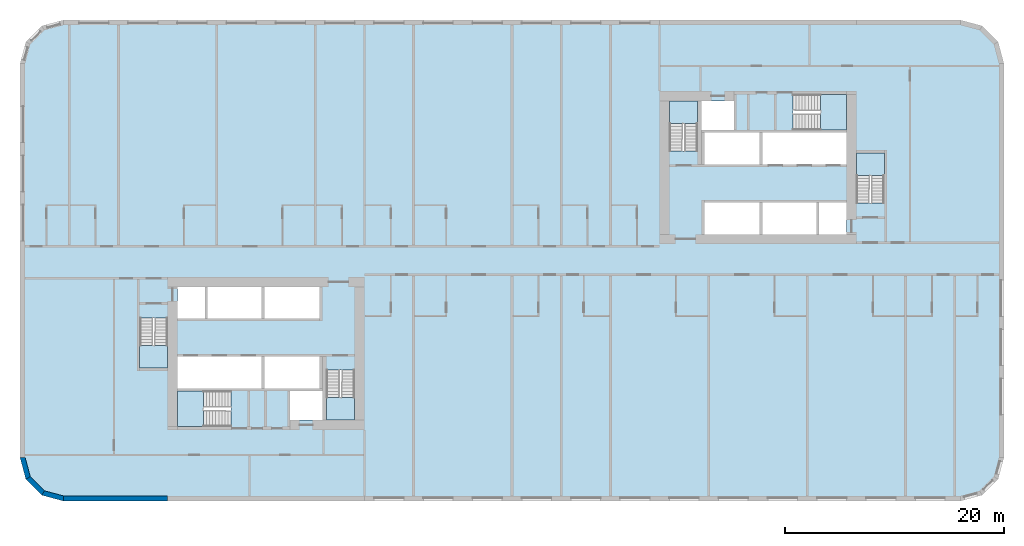
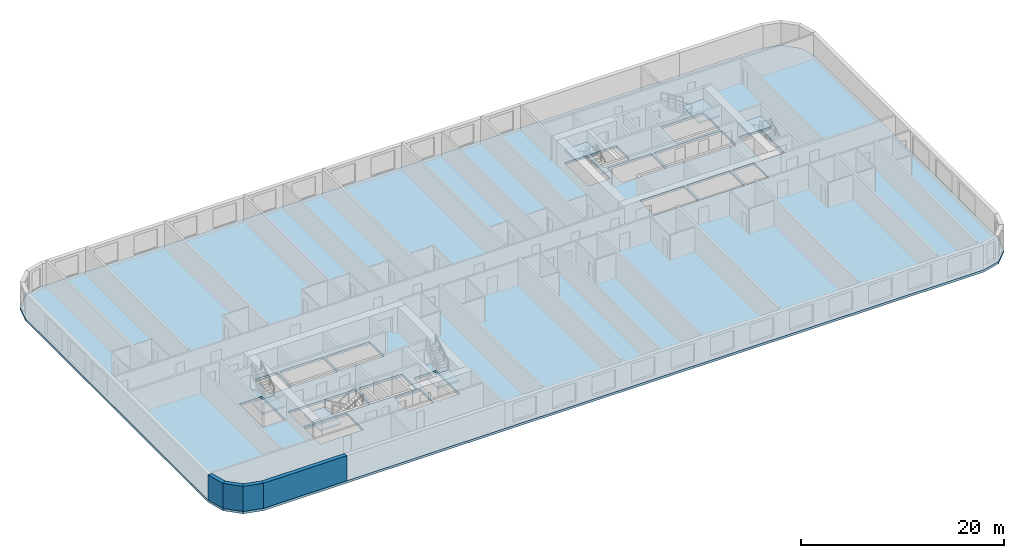
# One storey, part 1 of 12: 7 slabs, 4 walls, 6 elements without a shape of their own.
"""IFC4 building model written with IfcOpenShell, lengths in metres."""

from ifc_helpers import new_model, si_unit, direction, frame, frame_2d, origin, place, context, subcontext, project, spatial, polyline, rectangle, outline, extrude, material, layer, layer_set, type_object, element, aggregate, save


model = new_model("IFC4")

# Units and contexts
model_context = context("Model", 3, precision=1e-05, world=origin(), true_north=direction((0.0, 1.0)))
body_context = subcontext(model_context, "Body", "Model", "MODEL_VIEW")
ifc_project = project(units=[si_unit("LENGTHUNIT", "METRE"), si_unit("AREAUNIT", "SQUARE_METRE"), si_unit("VOLUMEUNIT", "CUBIC_METRE"), si_unit("PLANEANGLEUNIT", "RADIAN"), si_unit("MASSUNIT", "GRAM", prefix="KILO")], contexts=[model_context])

# Site, building, storey
site_placement = place(None, origin())
site = spatial("IfcSite", under=ifc_project, at=site_placement, CompositionType="ELEMENT")
building_placement = place(site_placement, origin())
building = spatial("IfcBuilding", under=site, at=building_placement, Name="Kajstack Hotel Tower", CompositionType="ELEMENT")
storey_placement = place(building_placement, frame((0.0, 0.0, 63.300048828125)))
storey = spatial("IfcBuildingStorey", under=building, at=storey_placement, Name="L10", CompositionType="ELEMENT", Elevation=63.300048828125)

# Slab
ifc_material_1 = material(Name="Concrete C40/50", Category="concrete")
ifc_layer_1 = layer(ifc_material_1, 0.280029296875)
ifc_layer_set_1 = layer_set([ifc_layer_1], Name="RC slab 280 C40/50 guest")
slab_type_1 = type_object("IfcSlabType", Name="RC slab 280 C40/50 guest", PredefinedType="FLOOR", material=ifc_layer_set_1)
slab_1_placement = place(storey_placement, frame((0.0, 0.0, -0.280029296875)))
element("IfcSlab", 1, at=slab_1_placement, inside=storey, type_object=slab_type_1, Name="S-slab-L10", PredefinedType="FLOOR", context=body_context, shape_type="SweptSolid", body=[
    extrude(outline(polyline([(-45.0, -18.0), (-44.464111328125, -20.0), (-43.0, -21.464111328125), (-41.0, -22.0), (41.0, -22.0), (43.0, -21.464111328125), (44.464111328125, -20.0), (45.0, -18.0), (45.0, 18.0), (44.464111328125, 20.0), (43.0, 21.464111328125), (41.0, 22.0), (-41.0, 22.0), (-43.0, 21.464111328125), (-44.464111328125, 20.0), (-45.0, 18.0), (-45.0, -18.0)]), holes=[polyline([(-30.60009765625, -11.699951171875), (-30.60009765625, -8.800048828125), (-22.89990234375, -8.800048828125), (-22.89990234375, -11.699951171875), (-30.60009765625, -11.699951171875)]), polyline([(-22.64990234375, -11.699951171875), (-22.64990234375, -8.800048828125), (-17.60009765625, -8.800048828125), (-17.60009765625, -11.699951171875), (-22.64990234375, -11.699951171875)]), polyline([(-27.85009765625, -5.300048828125), (-27.85009765625, -2.39990234375), (-22.89990234375, -2.39990234375), (-22.89990234375, -5.300048828125), (-27.85009765625, -5.300048828125)]), polyline([(-22.64990234375, -5.300048828125), (-22.64990234375, -2.39990234375), (-17.60009765625, -2.39990234375), (-17.60009765625, -5.300048828125), (-22.64990234375, -5.300048828125)]), polyline([(-20.300048828125, -14.60009765625), (-17.35009765625, -14.60009765625), (-17.35009765625, -11.949951171875), (-20.300048828125, -11.949951171875), (-20.300048828125, -14.60009765625)]), polyline([(-30.60009765625, -5.300048828125), (-28.10009765625, -5.300048828125), (-28.10009765625, -2.39990234375), (-30.60009765625, -2.39990234375), (-30.60009765625, -5.300048828125)]), polyline([(22.89990234375, 8.800048828125), (22.89990234375, 11.699951171875), (30.60009765625, 11.699951171875), (30.60009765625, 8.800048828125), (22.89990234375, 8.800048828125)]), polyline([(17.60009765625, 8.800048828125), (17.60009765625, 11.699951171875), (22.64990234375, 11.699951171875), (22.64990234375, 8.800048828125), (17.60009765625, 8.800048828125)]), polyline([(22.89990234375, 2.39990234375), (22.89990234375, 5.300048828125), (27.85009765625, 5.300048828125), (27.85009765625, 2.39990234375), (22.89990234375, 2.39990234375)]), polyline([(17.60009765625, 2.39990234375), (17.60009765625, 5.300048828125), (22.64990234375, 5.300048828125), (22.64990234375, 2.39990234375), (17.60009765625, 2.39990234375)]), polyline([(20.300048828125, 14.60009765625), (17.35009765625, 14.60009765625), (17.35009765625, 11.949951171875), (20.300048828125, 11.949951171875), (20.300048828125, 14.60009765625)]), polyline([(30.60009765625, 5.300048828125), (28.10009765625, 5.300048828125), (28.10009765625, 2.39990234375), (30.60009765625, 2.39990234375), (30.60009765625, 5.300048828125)]), polyline([(-34.050048828125, -9.85009765625), (-31.5, -9.85009765625), (-31.5, -5.25), (-34.050048828125, -5.25), (-34.050048828125, -9.85009765625)]), polyline([(-16.949951171875, -14.60009765625), (-14.39990234375, -14.60009765625), (-14.39990234375, -10.0), (-16.949951171875, -10.0), (-16.949951171875, -14.60009765625)]), polyline([(-30.60009765625, -15.199951171875), (-25.699951171875, -15.199951171875), (-25.699951171875, -11.949951171875), (-30.60009765625, -11.949951171875), (-30.60009765625, -15.199951171875)]), polyline([(34.050048828125, 9.85009765625), (31.5, 9.85009765625), (31.5, 5.25), (34.050048828125, 5.25), (34.050048828125, 9.85009765625)]), polyline([(16.949951171875, 14.60009765625), (14.39990234375, 14.60009765625), (14.39990234375, 10.0), (16.949951171875, 10.0), (16.949951171875, 14.60009765625)]), polyline([(30.60009765625, 15.199951171875), (25.699951171875, 15.199951171875), (25.699951171875, 11.949951171875), (30.60009765625, 11.949951171875), (30.60009765625, 15.199951171875)])]), origin(), (0.0, 0.0, 1.0), 0.280029296875),
])

# Stair, slab
stair_type_1 = type_object("IfcStairType", Name="Exit stair 1200", PredefinedType="HALF_TURN_STAIR", material=ifc_material_1)
stair_1_placement = place(storey_placement, origin())
stair_1 = element("IfcStair", 2, at=stair_1_placement, inside=storey, type_object=stair_type_1, Name="L10 stair W1", PredefinedType="HALF_TURN_STAIR")
ifc_layer_2 = layer(ifc_material_1, 0.199951171875)
ifc_layer_set_2 = layer_set([ifc_layer_2], Name="Stair landing 200")
slab_type_2 = type_object("IfcSlabType", Name="Stair landing 200", PredefinedType="LANDING", material=ifc_layer_set_2)
slab_2_placement = place(storey_placement, frame((0.0, 0.0, 1.449951171875)))
slab_2 = element("IfcSlab", 3, at=slab_2_placement, type_object=slab_type_2, Name="W1 landing 1", PredefinedType="LANDING", context=body_context, shape_type="SweptSolid", body=[
    extrude(outline(polyline([(-34.050048828125, -7.77001953125), (-34.050048828125, -9.85009765625), (-31.5, -9.85009765625), (-31.5, -7.77001953125), (-34.050048828125, -7.77001953125)])), origin(), (0.0, 0.0, 1.0), 0.199951171875),
])
aggregate(stair_1, [slab_2])

stair_2_placement = place(storey_placement, origin())
stair_2 = element("IfcStair", 4, at=stair_2_placement, inside=storey, type_object=stair_type_1, Name="L10 stair W2", PredefinedType="HALF_TURN_STAIR")
slab_3_placement = place(storey_placement, frame((0.0, 0.0, 1.449951171875)))
slab_3 = element("IfcSlab", 5, at=slab_3_placement, type_object=slab_type_2, Name="W2 landing 1", PredefinedType="LANDING", context=body_context, shape_type="SweptSolid", body=[
    extrude(outline(polyline([(-16.949951171875, -12.52001953125), (-16.949951171875, -14.60009765625), (-14.39990234375, -14.60009765625), (-14.39990234375, -12.52001953125), (-16.949951171875, -12.52001953125)])), origin(), (0.0, 0.0, 1.0), 0.199951171875),
])
aggregate(stair_2, [slab_3])

stair_type_2 = type_object("IfcStairType", Name="Exit stair 1500", PredefinedType="HALF_TURN_STAIR", material=ifc_material_1)
stair_3_placement = place(storey_placement, origin())
stair_3 = element("IfcStair", 6, at=stair_3_placement, inside=storey, type_object=stair_type_2, Name="L10 stair W3", PredefinedType="HALF_TURN_STAIR")
slab_4_placement = place(storey_placement, frame((0.0, 0.0, 1.449951171875)))
slab_4 = element("IfcSlab", 7, at=slab_4_placement, type_object=slab_type_2, Name="W3 landing 1", PredefinedType="LANDING", context=body_context, shape_type="SweptSolid", body=[
    extrude(outline(polyline([(-28.219970703125, -11.949951171875), (-30.60009765625, -11.949951171875), (-30.60009765625, -15.199951171875), (-28.219970703125, -15.199951171875), (-28.219970703125, -11.949951171875)])), origin(), (0.0, 0.0, 1.0), 0.199951171875),
])
aggregate(stair_3, [slab_4])

stair_4_placement = place(storey_placement, origin())
stair_4 = element("IfcStair", 8, at=stair_4_placement, inside=storey, type_object=stair_type_1, Name="L10 stair E1", PredefinedType="HALF_TURN_STAIR")
slab_5_placement = place(storey_placement, frame((0.0, 0.0, 1.449951171875)))
slab_5 = element("IfcSlab", 9, at=slab_5_placement, type_object=slab_type_2, Name="E1 landing 1", PredefinedType="LANDING", context=body_context, shape_type="SweptSolid", body=[
    extrude(outline(polyline([(34.050048828125, 7.77001953125), (34.050048828125, 9.85009765625), (31.5, 9.85009765625), (31.5, 7.77001953125), (34.050048828125, 7.77001953125)])), origin(), (0.0, 0.0, 1.0), 0.199951171875),
])
aggregate(stair_4, [slab_5])

stair_5_placement = place(storey_placement, origin())
stair_5 = element("IfcStair", 10, at=stair_5_placement, inside=storey, type_object=stair_type_1, Name="L10 stair E2", PredefinedType="HALF_TURN_STAIR")
slab_6_placement = place(storey_placement, frame((0.0, 0.0, 1.449951171875)))
slab_6 = element("IfcSlab", 11, at=slab_6_placement, type_object=slab_type_2, Name="E2 landing 1", PredefinedType="LANDING", context=body_context, shape_type="SweptSolid", body=[
    extrude(outline(polyline([(16.949951171875, 12.52001953125), (16.949951171875, 14.60009765625), (14.39990234375, 14.60009765625), (14.39990234375, 12.52001953125), (16.949951171875, 12.52001953125)])), origin(), (0.0, 0.0, 1.0), 0.199951171875),
])
aggregate(stair_5, [slab_6])

stair_6_placement = place(storey_placement, origin())
stair_6 = element("IfcStair", 12, at=stair_6_placement, inside=storey, type_object=stair_type_2, Name="L10 stair E3", PredefinedType="HALF_TURN_STAIR")
slab_7_placement = place(storey_placement, frame((0.0, 0.0, 1.449951171875)))
slab_7 = element("IfcSlab", 13, at=slab_7_placement, type_object=slab_type_2, Name="E3 landing 1", PredefinedType="LANDING", context=body_context, shape_type="SweptSolid", body=[
    extrude(outline(polyline([(28.219970703125, 11.949951171875), (30.60009765625, 11.949951171875), (30.60009765625, 15.199951171875), (28.219970703125, 15.199951171875), (28.219970703125, 11.949951171875)])), origin(), (0.0, 0.0, 1.0), 0.199951171875),
])
aggregate(stair_6, [slab_7])

# Walls
ifc_material_2 = material(Name="Terracotta-faced brick masonry", Category="masonry")
ifc_layer_3 = layer(ifc_material_2, 0.449951171875)
ifc_layer_set_3 = layer_set([ifc_layer_3], Name="EW-TERRA")
wall_type = type_object("IfcWallType", Name="EW-TERRA", PredefinedType="SOLIDWALL", material=ifc_layer_set_3)
wall_1_placement = place(storey_placement, frame((-44.78271484375, -17.941650390625, 0.0), z_axis=(0.0, 0.0, 1.0), x_axis=(0.25881466832, -0.965926999034, 0.0)))
element("IfcWall", 14, at=wall_1_placement, inside=storey, type_object=wall_type, Name="E-wall-L10-00-00", PredefinedType="SOLIDWALL", context=body_context, shape_type="SweptSolid", body=[
    extrude(outline(polyline([(0.000244140625, -0.22509765625), (2.070556640625, -0.224853515625), (1.9501953125, 0.22509765625), (0.12060546875, 0.22509765625), (0.000244140625, -0.22509765625)])), origin(), (0.0, 0.0, 1.0), 3.02001953125),
])
wall_2_placement = place(storey_placement, frame((-44.304931640625, -19.8408203125, 0.0), z_axis=(0.0, 0.0, 1.0), x_axis=(0.707106781187, -0.707106781187, 0.0)))
element("IfcWall", 15, at=wall_2_placement, inside=storey, type_object=wall_type, Name="E-wall-L10-01-00", PredefinedType="SOLIDWALL", context=body_context, shape_type="SweptSolid", body=[
    extrude(outline(polyline([(0.0, -0.22509765625), (2.070556640625, -0.22509765625), (1.949951171875, 0.224853515625), (0.12060546875, 0.224853515625), (0.0, -0.22509765625)])), origin(), (0.0, 0.0, 1.0), 3.02001953125),
])
wall_3_placement = place(storey_placement, frame((-42.941650390625, -21.246826171875, 0.0), z_axis=(0.0, 0.0, 1.0), x_axis=(0.965926999034, -0.25881466832, 0.0)))
element("IfcWall", 16, at=wall_3_placement, inside=storey, type_object=wall_type, Name="E-wall-L10-02-00", PredefinedType="SOLIDWALL", context=body_context, shape_type="SweptSolid", body=[
    extrude(outline(polyline([(-0.000244140625, -0.224853515625), (2.0703125, -0.22509765625), (1.949951171875, 0.22509765625), (0.120361328125, 0.22509765625), (-0.000244140625, -0.224853515625)])), origin(), (0.0, 0.0, 1.0), 3.02001953125),
])
wall_4_placement = place(storey_placement, frame((-41.0, -21.77490234375, 0.0), z_axis=(0.0, 0.0, 1.0), x_axis=(1.0, 0.0, 0.0)))
element("IfcWall", 17, at=wall_4_placement, inside=storey, type_object=wall_type, Name="E-wall-L10-03-00", PredefinedType="SOLIDWALL", context=body_context, shape_type="SweptSolid", body=[
    extrude(rectangle(XDim=9.5, YDim=0.449951171875, at=frame_2d((4.75, 0.0))), origin(), (0.0, 0.0, 1.0), 3.02001953125),
])

save(model, "model.ifc")
